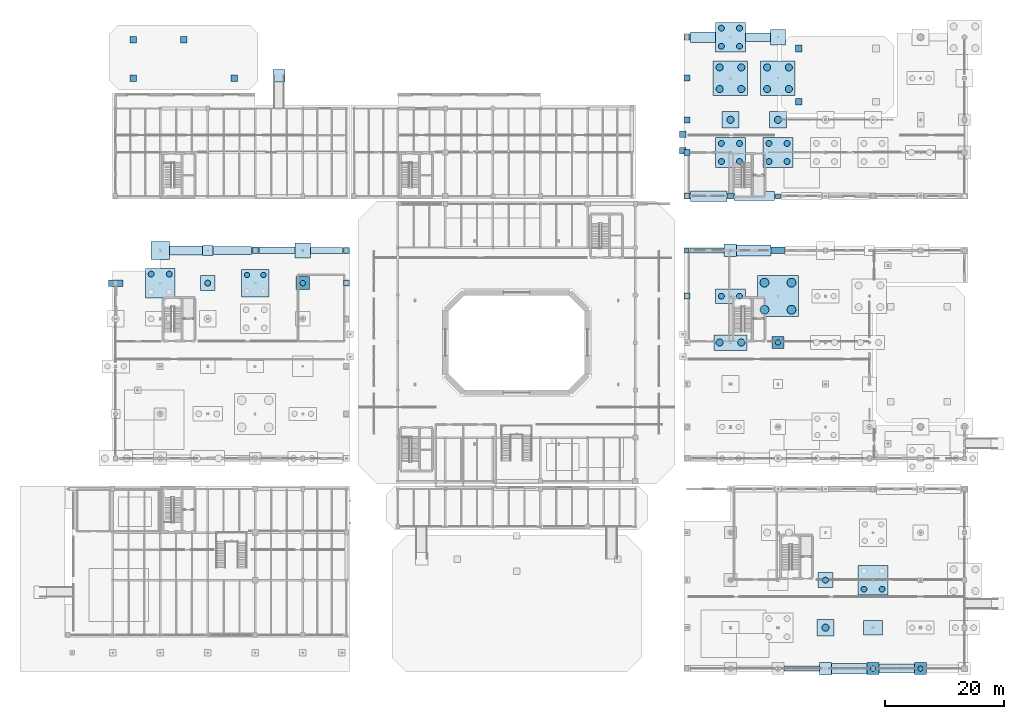
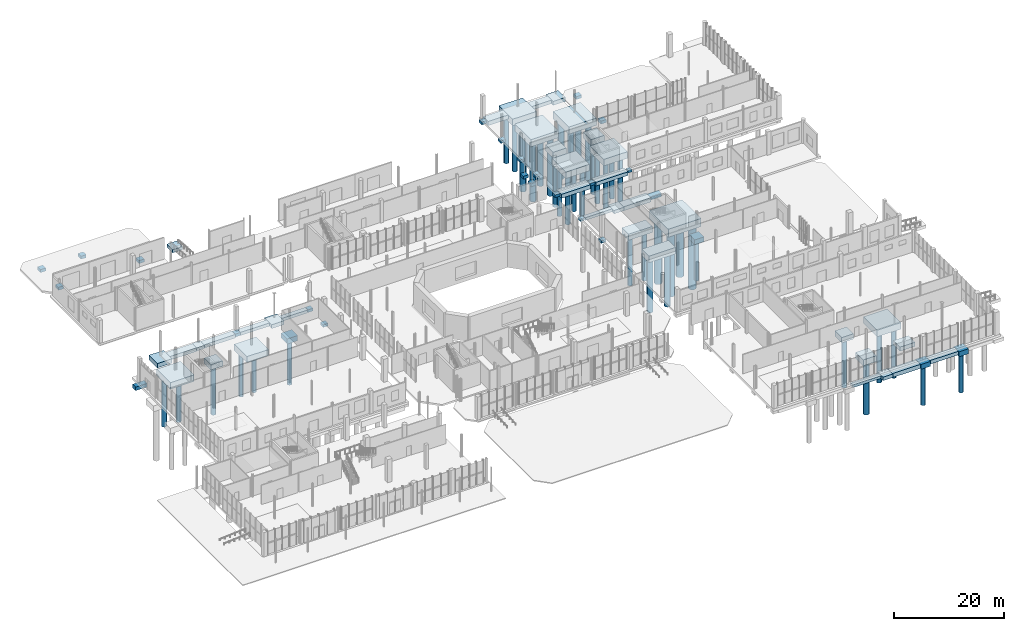
# One storey, part 2 of 87: 63 footings, 43 piles.
"""IFC4 building model written with IfcOpenShell, lengths in metres."""

from ifc_helpers import new_model, si_unit, direction, frame, origin, origin_2d, place, context, subcontext, project, spatial, rectangle, circle, extrude, material, material_profile, profile_set, type_object, element, save


model = new_model("IFC4")

# Units and contexts
model_context = context("Model", 3, precision=1e-05, world=origin(), true_north=direction((0.0, 1.0)))
body_context = subcontext(model_context, "Body", "Model", "MODEL_VIEW")
ifc_project = project(units=[si_unit("LENGTHUNIT", "METRE"), si_unit("AREAUNIT", "SQUARE_METRE"), si_unit("VOLUMEUNIT", "CUBIC_METRE"), si_unit("PLANEANGLEUNIT", "RADIAN"), si_unit("MASSUNIT", "GRAM", prefix="KILO")], contexts=[model_context])

# Site, building, storey
site_placement = place(None, origin())
site = spatial("IfcSite", under=ifc_project, at=site_placement, CompositionType="ELEMENT")
building_placement = place(site_placement, origin())
building = spatial("IfcBuilding", under=site, at=building_placement, Name="Brisemont Oceanarium", CompositionType="ELEMENT")
storey_placement = place(building_placement, origin())
storey = spatial("IfcBuildingStorey", under=building, at=storey_placement, Name="L00", CompositionType="ELEMENT", Elevation=0.0)

# Footings
ifc_material_1 = material(Name="Concrete C40/50", Category="concrete")
footing_type_1 = type_object("IfcFootingType", Name="FTG-PAD-1000", PredefinedType="PAD_FOOTING", material=ifc_material_1)
for number, where, z_axis, x_axis, name in (
    (1, (55.35009765625, 66.0, -1.06005859375), (0.0, 0.0, 1.0), (1.0, 0.0, 0.0), "PF-15 spread footing at (55.4,66.0)"),
    (2, (55.35009765625, 71.5, -1.06005859375), (0.0, 0.0, 1.0), (1.0, 0.0, 0.0), "PF-15 spread footing at (55.4,71.5)"),
    (3, (112.64990234375, 63.800048828125, -1.06005859375), (0.0, 0.0, 1.0), (1.0, 0.0, 0.0), "PF-15 spread footing at (112.7,63.8)"),
    (4, (112.64990234375, 80.64990234375, -1.10009765625), (0.0, 0.0, 1.0), (1.0, 0.0, 0.0), "PF-15 spread footing at (112.7,80.7)"),
    (5, (112.64990234375, 88.0, -1.10009765625), (0.0, 0.0, 1.0), (1.0, 0.0, 0.0), "PF-15 spread footing at (112.7,88.0)"),
    (6, (112.64990234375, 93.5, -1.10009765625), (0.0, 0.0, 1.0), (1.0, 0.0, 0.0), "PF-15 spread footing at (112.7,93.5)"),
    (7, (112.64990234375, 100.5, -1.10009765625), (0.0, 0.0, 1.0), (1.0, 0.0, 0.0), "PF-15 spread footing at (112.7,100.5)"),
    (8, (112.64990234375, 107.39990234375, -1.10009765625), (0.0, 0.0, 1.0), (1.0, 0.0, 0.0), "PF-15 spread footing at (112.7,107.4)"),
    (9, (120.0, 80.64990234375, -1.10009765625), (0.0, 0.0, 1.0), (1.0, 0.0, 0.0), "PF-15 spread footing at (120.0,80.7)"),
):
    element("IfcFooting", number, at=place(storey_placement, frame(where, z_axis=z_axis, x_axis=x_axis)), inside=storey, type_object=footing_type_1, Name=name, PredefinedType="PAD_FOOTING", context=body_context, shape_type="SweptSolid", body=[
        extrude(rectangle(XDim=1.0, YDim=1.0, at=origin_2d()), origin(), (0.0, 0.0, 1.0), 0.60009765625),
    ])
ifc_material_2 = material(Name="Concrete C40/50", Category="concrete")
footing_type_2 = type_object("IfcFootingType", Name="FTG-PAD-1100", PredefinedType="PAD_FOOTING", material=ifc_material_2)
for number, where, z_axis, x_axis, name in (
    (10, (40.0, 71.5, -1.10986328125), (0.0, 0.0, 1.0), (1.0, 0.0, 0.0), "PF-14 spread footing at (40.0,71.5)"),
    (11, (19.5, 100.5, -1.10986328125), (0.0, 0.0, 1.0), (1.0, 0.0, 0.0), "Apron support pad AP7W-1"),
    (12, (36.5, 100.5, -1.10986328125), (0.0, 0.0, 1.0), (1.0, 0.0, 0.0), "Apron support pad AP7W-2"),
    (13, (28.0, 107.0, -1.10986328125), (0.0, 0.0, 1.0), (1.0, 0.0, 0.0), "Apron support pad AP7W-3"),
    (14, (19.5, 107.0, -1.10986328125), (0.0, 0.0, 1.0), (1.0, 0.0, 0.0), "Apron support pad AP7W-4"),
    (15, (131.5, 96.5, -0.869873046875), (0.0, 0.0, 1.0), (1.0, 0.0, 0.0), "Apron support pad V6CL-1"),
    (16, (131.5, 105.5, -0.869873046875), (0.0, 0.0, 1.0), (1.0, 0.0, 0.0), "Apron support pad V6CL-3"),
    (17, (112.0, 88.320068359375, -3.050048828125), (0.0, 0.0, 1.0), (1.0, 0.0, 0.0), "PF-14 spread footing at (112.0,88.3)"),
    (18, (112.0, 91.080078125, -3.050048828125), (0.0, 0.0, 1.0), (1.0, 0.0, 0.0), "PF-14 spread footing at (112.0,91.1)"),
):
    element("IfcFooting", number, at=place(storey_placement, frame(where, z_axis=z_axis, x_axis=x_axis)), inside=storey, type_object=footing_type_2, Name=name, PredefinedType="PAD_FOOTING", context=body_context, shape_type="SweptSolid", body=[
        extrude(rectangle(XDim=1.10009765625, YDim=1.10009765625, at=origin_2d()), origin(), (0.0, 0.0, 1.0), 0.64990234375),
    ])
ifc_material_3 = material(Name="Concrete C40/50", Category="concrete")
footing_type_3 = type_object("IfcFootingType", Name="FTG-PAD-1700", PredefinedType="PAD_FOOTING", material=ifc_material_3)
footing_1_placement = place(storey_placement, frame((32.0, 71.5, -1.10986328125), z_axis=(0.0, 0.0, 1.0), x_axis=(1.0, 0.0, 0.0)))
element("IfcFooting", 19, at=footing_1_placement, inside=storey, type_object=footing_type_3, Name="PF-08 spread footing at (32.0,71.5)", PredefinedType="PAD_FOOTING", context=body_context, shape_type="SweptSolid", body=[
    extrude(rectangle(XDim=1.699951171875, YDim=1.699951171875, at=origin_2d()), origin(), (0.0, 0.0, 1.0), 0.64990234375),
])
ifc_material_4 = material(Name="Concrete C40/50", Category="concrete")
footing_type_4 = type_object("IfcFootingType", Name="FTG-PAD-2100", PredefinedType="PAD_FOOTING", material=ifc_material_4)
for number, where, z_axis, x_axis, name in (
    (20, (136.0, 1.10009765625, -1.25), (0.0, 0.0, 1.0), (1.0, 0.0, 0.0), "PF-06 spread footing at (136.0,1.1)"),
    (21, (120.0, 71.5, -1.2099609375), (0.0, 0.0, 1.0), (1.0, 0.0, 0.0), "PF-06 spread footing at (120.0,71.5)"),
):
    element("IfcFooting", number, at=place(storey_placement, frame(where, z_axis=z_axis, x_axis=x_axis)), inside=storey, type_object=footing_type_4, Name=name, PredefinedType="PAD_FOOTING", context=body_context, shape_type="SweptSolid", body=[
        extrude(rectangle(XDim=2.10009765625, YDim=2.10009765625, at=origin_2d()), origin(), (0.0, 0.0, 1.0), 0.75),
    ])
footing_2_placement = place(storey_placement, frame((44.0, 100.89990234375, -1.079833984375), z_axis=(0.0, 0.0, 1.0), x_axis=(1.0, 0.0, 0.0)))
element("IfcFooting", 22, at=footing_2_placement, inside=storey, type_object=footing_type_4, Name="Ramp abutment pad 6A", PredefinedType="PAD_FOOTING", context=body_context, shape_type="SweptSolid", body=[
    extrude(rectangle(XDim=2.10009765625, YDim=2.10009765625, at=origin_2d()), origin(), (0.0, 0.0, 1.0), 0.64990234375),
])
ifc_material_5 = material(Name="Concrete C40/50", Category="concrete")
footing_type_5 = type_object("IfcFootingType", Name="FTG-PAD-2400X1100", PredefinedType="PAD_FOOTING", material=ifc_material_5)
for number, where, z_axis, x_axis, name in (
    (23, (16.5, 66.0, -1.26025390625), (0.0, 0.0, 1.0), (1.0, 0.0, 0.0), "PF-12 spread footing at (16.5,66.0)"),
    (24, (128.0, 71.5, -1.26025390625), (0.0, 0.0, 1.0), (1.0, 0.0, 0.0), "PF-12 spread footing at (128.0,71.5)"),
):
    element("IfcFooting", number, at=place(storey_placement, frame(where, z_axis=z_axis, x_axis=x_axis)), inside=storey, type_object=footing_type_5, Name=name, PredefinedType="PAD_FOOTING", context=body_context, shape_type="SweptSolid", body=[
        extrude(rectangle(XDim=2.39990234375, YDim=1.10009765625, at=origin_2d()), origin(), (0.0, 0.0, 1.0), 0.800048828125),
    ])
ifc_material_6 = material(Name="Concrete C40/50", Category="concrete")
footing_type_6 = type_object("IfcFootingType", Name="FTG-PAD-2600", PredefinedType="PAD_FOOTING", material=ifc_material_6)
for number, where, z_axis, x_axis, name in (
    (25, (48.0, 71.5, -1.31005859375), (0.0, 0.0, 1.0), (1.0, 0.0, 0.0), "PF-04 spread footing at (48.0,71.5)"),
    (26, (128.0, 107.39990234375, -1.35009765625), (0.0, 0.0, 1.0), (1.0, 0.0, 0.0), "PF-04 spread footing at (128.0,107.4)"),
):
    element("IfcFooting", number, at=place(storey_placement, frame(where, z_axis=z_axis, x_axis=x_axis)), inside=storey, type_object=footing_type_6, Name=name, PredefinedType="PAD_FOOTING", context=body_context, shape_type="SweptSolid", body=[
        extrude(rectangle(XDim=2.60009765625, YDim=2.60009765625, at=origin_2d()), origin(), (0.0, 0.0, 1.0), 0.85009765625),
    ])
ifc_material_7 = material(Name="Concrete C40/50", Category="concrete")
footing_type_7 = type_object("IfcFootingType", Name="FTG-PAD-3100", PredefinedType="PAD_FOOTING", material=ifc_material_7)
footing_3_placement = place(storey_placement, frame((24.0, 71.5, -1.41015625), z_axis=(0.0, 0.0, 1.0), x_axis=(1.0, 0.0, 0.0)))
element("IfcFooting", 27, at=footing_3_placement, inside=storey, type_object=footing_type_7, Name="PF-02 spread footing at (24.0,71.5)", PredefinedType="PAD_FOOTING", context=body_context, shape_type="SweptSolid", body=[
    extrude(rectangle(XDim=3.10009765625, YDim=3.10009765625, at=origin_2d()), origin(), (0.0, 0.0, 1.0), 0.949951171875),
])
ifc_material_8 = material(Name="Concrete C40/50", Category="concrete")
footing_type_8 = type_object("IfcFootingType", Name="FTG-PAD-3200X2400", PredefinedType="PAD_FOOTING", material=ifc_material_8)
footing_4_placement = place(storey_placement, frame((144.0, 8.0, -1.39990234375), z_axis=(0.0, 0.0, 1.0), x_axis=(1.0, 0.0, 0.0)))
element("IfcFooting", 28, at=footing_4_placement, inside=storey, type_object=footing_type_8, Name="PF-10 spread footing at (144.0,8.0)", PredefinedType="PAD_FOOTING", context=body_context, shape_type="SweptSolid", body=[
    extrude(rectangle(XDim=3.199951171875, YDim=2.39990234375, at=origin_2d()), origin(), (0.0, 0.0, 1.0), 0.89990234375),
])
ifc_material_9 = material(Name="Concrete C40/50", Category="concrete")
footing_type_9 = type_object("IfcFootingType", Name="FTG-PAD-800", PredefinedType="PAD_FOOTING", material=ifc_material_9)
for number, where, z_axis, x_axis, name in (
    (29, (112.64990234375, 71.5, -1.01025390625), (0.0, 0.0, 1.0), (1.0, 0.0, 0.0), "PF-16 spread footing at (112.7,71.5)"),
    (30, (128.0, 80.64990234375, -1.0498046875), (0.0, 0.0, 1.0), (1.0, 0.0, 0.0), "PF-16 spread footing at (128.0,80.7)"),
):
    element("IfcFooting", number, at=place(storey_placement, frame(where, z_axis=z_axis, x_axis=x_axis)), inside=storey, type_object=footing_type_9, Name=name, PredefinedType="PAD_FOOTING", context=body_context, shape_type="SweptSolid", body=[
        extrude(rectangle(XDim=0.800048828125, YDim=0.800048828125, at=origin_2d()), origin(), (0.0, 0.0, 1.0), 0.550048828125),
    ])
ifc_material_10 = material(Name="Concrete C40/50", Category="concrete")
footing_type_10 = type_object("IfcFootingType", Name="FTG-PC-1P-2000", PredefinedType="PILE_CAP", material=ifc_material_10)
for number, where, z_axis, x_axis, name in (
    (31, (144.0, 1.10009765625, -1.60009765625), (0.0, 0.0, 1.0), (1.0, 0.0, 0.0), "PC-11 pile cap at (144.0,1.1)"),
    (32, (152.0, 1.10009765625, -1.60009765625), (0.0, 0.0, 1.0), (1.0, 0.0, 0.0), "PC-11 pile cap at (152.0,1.1)"),
    (33, (128.0, 56.0, -1.56005859375), (0.0, 0.0, 1.0), (1.0, 0.0, 0.0), "PC-11 pile cap at (128.0,56.0)"),
):
    element("IfcFooting", number, at=place(storey_placement, frame(where, z_axis=z_axis, x_axis=x_axis)), inside=storey, type_object=footing_type_10, Name=name, PredefinedType="PILE_CAP", context=body_context, shape_type="SweptSolid", body=[
        extrude(rectangle(XDim=2.0, YDim=2.0, at=origin_2d()), origin(), (0.0, 0.0, 1.0), 1.10009765625),
    ])
ifc_material_11 = material(Name="Concrete C40/50", Category="concrete")
footing_type_11 = type_object("IfcFootingType", Name="FTG-PC-1P-2200", PredefinedType="PILE_CAP", material=ifc_material_11)
footing_5_placement = place(storey_placement, frame((48.0, 66.0, -1.60986328125), z_axis=(0.0, 0.0, 1.0), x_axis=(1.0, 0.0, 0.0)))
element("IfcFooting", 34, at=footing_5_placement, inside=storey, type_object=footing_type_11, Name="PC-10 pile cap at (48.0,66.0)", PredefinedType="PILE_CAP", context=body_context, shape_type="SweptSolid", body=[
    extrude(rectangle(XDim=2.199951171875, YDim=2.199951171875, at=origin_2d()), origin(), (0.0, 0.0, 1.0), 1.14990234375),
])
ifc_material_12 = material(Name="Concrete C40/50", Category="concrete")
footing_type_12 = type_object("IfcFootingType", Name="FTG-PC-1P-2500", PredefinedType="PILE_CAP", material=ifc_material_12)
for number, where, z_axis, x_axis, name in (
    (35, (136.0, 16.0, -1.7001953125), (0.0, 0.0, 1.0), (1.0, 0.0, 0.0), "PC-09 pile cap at (136.0,16.0)"),
    (36, (32.0, 66.0, -1.66015625), (0.0, 0.0, 1.0), (1.0, 0.0, 0.0), "PC-09 pile cap at (32.0,66.0)"),
):
    element("IfcFooting", number, at=place(storey_placement, frame(where, z_axis=z_axis, x_axis=x_axis)), inside=storey, type_object=footing_type_12, Name=name, PredefinedType="PILE_CAP", context=body_context, shape_type="SweptSolid", body=[
        extrude(rectangle(XDim=2.5, YDim=2.5, at=origin_2d()), origin(), (0.0, 0.0, 1.0), 1.199951171875),
    ])
ifc_material_13 = material(Name="Concrete C40/50", Category="concrete")
footing_type_13 = type_object("IfcFootingType", Name="FTG-PC-1P-2800", PredefinedType="PILE_CAP", material=ifc_material_13)
for number, where, z_axis, x_axis, name in (
    (37, (136.0, 8.0, -1.7998046875), (0.0, 0.0, 1.0), (1.0, 0.0, 0.0), "PC-08 pile cap at (136.0,8.0)"),
    (38, (120.0, 93.5, -1.7998046875), (0.0, 0.0, 1.0), (1.0, 0.0, 0.0), "PC-08 pile cap at (120.0,93.5)"),
    (39, (128.0, 93.5, -1.7998046875), (0.0, 0.0, 1.0), (1.0, 0.0, 0.0), "PC-08 pile cap at (128.0,93.5)"),
):
    element("IfcFooting", number, at=place(storey_placement, frame(where, z_axis=z_axis, x_axis=x_axis)), inside=storey, type_object=footing_type_13, Name=name, PredefinedType="PILE_CAP", context=body_context, shape_type="SweptSolid", body=[
        extrude(rectangle(XDim=2.800048828125, YDim=2.800048828125, at=origin_2d()), origin(), (0.0, 0.0, 1.0), 1.300048828125),
    ])
ifc_material_14 = material(Name="Concrete C40/50", Category="concrete")
footing_type_14 = type_object("IfcFootingType", Name="FTG-PC-2P-5000", PredefinedType="PILE_CAP", material=ifc_material_14)
footing_6_placement = place(storey_placement, frame((120.0, 63.800048828125, -1.81005859375), z_axis=(0.0, 0.0, 1.0), x_axis=(1.0, 0.0, 0.0)))
element("IfcFooting", 40, at=footing_6_placement, inside=storey, type_object=footing_type_14, Name="PC-06 pile cap at (120.0,63.8)", PredefinedType="PILE_CAP", context=body_context, shape_type="SweptSolid", body=[
    extrude(rectangle(XDim=5.0, YDim=2.39990234375, at=origin_2d()), origin(), (0.0, 0.0, 1.0), 1.35009765625),
])
ifc_material_15 = material(Name="Concrete C40/50", Category="concrete")
footing_type_15 = type_object("IfcFootingType", Name="FTG-PC-2P-5600", PredefinedType="PILE_CAP", material=ifc_material_15)
footing_7_placement = place(storey_placement, frame((120.0, 56.0, -1.91015625), z_axis=(0.0, 0.0, 1.0), x_axis=(1.0, 0.0, 0.0)))
element("IfcFooting", 41, at=footing_7_placement, inside=storey, type_object=footing_type_15, Name="PC-05 pile cap at (120.0,56.0)", PredefinedType="PILE_CAP", context=body_context, shape_type="SweptSolid", body=[
    extrude(rectangle(XDim=5.60009765625, YDim=2.60009765625, at=origin_2d()), origin(), (0.0, 0.0, 1.0), 1.449951171875),
])
ifc_material_16 = material(Name="Concrete C40/50", Category="concrete")
footing_type_16 = type_object("IfcFootingType", Name="FTG-PC-4P-4600", PredefinedType="PILE_CAP", material=ifc_material_16)
footing_8_placement = place(storey_placement, frame((40.0, 66.0, -1.81005859375), z_axis=(0.0, 0.0, 1.0), x_axis=(1.0, 0.0, 0.0)))
element("IfcFooting", 42, at=footing_8_placement, inside=storey, type_object=footing_type_16, Name="PC-04 pile cap at (40.0,66.0)", PredefinedType="PILE_CAP", context=body_context, shape_type="SweptSolid", body=[
    extrude(rectangle(XDim=4.60009765625, YDim=4.60009765625, at=origin_2d()), origin(), (0.0, 0.0, 1.0), 1.35009765625),
])
ifc_material_17 = material(Name="Concrete C40/50", Category="concrete")
footing_type_17 = type_object("IfcFootingType", Name="FTG-PC-4P-5000", PredefinedType="PILE_CAP", material=ifc_material_17)
for number, where, z_axis, x_axis, name in (
    (43, (144.0, 16.0, -1.9501953125), (0.0, 0.0, 1.0), (1.0, 0.0, 0.0), "PC-03 pile cap at (144.0,16.0)"),
    (44, (24.0, 66.0, -1.91015625), (0.0, 0.0, 1.0), (1.0, 0.0, 0.0), "PC-03 pile cap at (24.0,66.0)"),
    (45, (120.0, 88.0, -1.9501953125), (0.0, 0.0, 1.0), (1.0, 0.0, 0.0), "PC-03 pile cap at (120.0,88.0)"),
    (46, (120.0, 107.39990234375, -1.9501953125), (0.0, 0.0, 1.0), (1.0, 0.0, 0.0), "PC-03 pile cap at (120.0,107.4)"),
    (47, (128.0, 88.0, -1.9501953125), (0.0, 0.0, 1.0), (1.0, 0.0, 0.0), "PC-03 pile cap at (128.0,88.0)"),
):
    element("IfcFooting", number, at=place(storey_placement, frame(where, z_axis=z_axis, x_axis=x_axis)), inside=storey, type_object=footing_type_17, Name=name, PredefinedType="PILE_CAP", context=body_context, shape_type="SweptSolid", body=[
        extrude(rectangle(XDim=5.0, YDim=5.0, at=origin_2d()), origin(), (0.0, 0.0, 1.0), 1.449951171875),
    ])
ifc_material_18 = material(Name="Concrete C40/50", Category="concrete")
footing_type_18 = type_object("IfcFootingType", Name="FTG-PC-4P-5800", PredefinedType="PILE_CAP", material=ifc_material_18)
for number, where, z_axis, x_axis, name in (
    (48, (120.0, 100.5, -2.10009765625), (0.0, 0.0, 1.0), (1.0, 0.0, 0.0), "PC-02 pile cap at (120.0,100.5)"),
    (49, (128.0, 100.5, -2.10009765625), (0.0, 0.0, 1.0), (1.0, 0.0, 0.0), "PC-02 pile cap at (128.0,100.5)"),
):
    element("IfcFooting", number, at=place(storey_placement, frame(where, z_axis=z_axis, x_axis=x_axis)), inside=storey, type_object=footing_type_18, Name=name, PredefinedType="PILE_CAP", context=body_context, shape_type="SweptSolid", body=[
        extrude(rectangle(XDim=5.800048828125, YDim=5.800048828125, at=origin_2d()), origin(), (0.0, 0.0, 1.0), 1.60009765625),
    ])
ifc_material_19 = material(Name="Concrete C40/50", Category="concrete")
footing_type_19 = type_object("IfcFootingType", Name="FTG-PC-4P-6900", PredefinedType="PILE_CAP", material=ifc_material_19)
footing_9_placement = place(storey_placement, frame((128.0, 63.800048828125, -2.26025390625), z_axis=(0.0, 0.0, 1.0), x_axis=(1.0, 0.0, 0.0)))
element("IfcFooting", 50, at=footing_9_placement, inside=storey, type_object=footing_type_19, Name="PC-01 pile cap at (128.0,63.8)", PredefinedType="PILE_CAP", context=body_context, shape_type="SweptSolid", body=[
    extrude(rectangle(XDim=6.89990234375, YDim=6.89990234375, at=origin_2d()), origin(), (0.0, 0.0, 1.0), 1.800048828125),
])
ifc_material_20 = material(Name="Concrete C40/50", Category="concrete")
footing_type_20 = type_object("IfcFootingType", Name="FTG-SF-1100X700", PredefinedType="STRIP_FOOTING", material=ifc_material_20)
footing_10_placement = place(storey_placement, frame((43.64990234375, 71.5, -1.16015625), z_axis=(0.0, 0.0, 1.0), x_axis=(1.0, 0.0, 0.0)))
element("IfcFooting", 51, at=footing_10_placement, inside=storey, type_object=footing_type_20, Name="SF-04 continuous strip footing", PredefinedType="STRIP_FOOTING", context=body_context, shape_type="SweptSolid", body=[
    extrude(rectangle(XDim=6.10009765625, YDim=1.10009765625, at=origin_2d()), origin(), (0.0, 0.0, 1.0), 0.699951171875),
])
ifc_material_21 = material(Name="Concrete C40/50", Category="concrete")
footing_type_21 = type_object("IfcFootingType", Name="FTG-SF-1300X750", PredefinedType="STRIP_FOOTING", material=ifc_material_21)
footing_11_placement = place(storey_placement, frame((36.125, 71.5, -1.2099609375), z_axis=(0.0, 0.0, 1.0), x_axis=(1.0, 0.0, 0.0)))
element("IfcFooting", 52, at=footing_11_placement, inside=storey, type_object=footing_type_21, Name="SF-03 continuous strip footing", PredefinedType="STRIP_FOOTING", context=body_context, shape_type="SweptSolid", body=[
    extrude(rectangle(XDim=6.550048828125, YDim=1.300048828125, at=origin_2d()), origin(), (0.0, 0.0, 1.0), 0.75),
])
ifc_material_22 = material(Name="Concrete C40/50", Category="concrete")
footing_type_22 = type_object("IfcFootingType", Name="FTG-SF-1500X800", PredefinedType="STRIP_FOOTING", material=ifc_material_22)
footing_12_placement = place(storey_placement, frame((148.0, 1.10009765625, -1.2998046875), z_axis=(0.0, 0.0, 1.0), x_axis=(1.0, 0.0, 0.0)))
element("IfcFooting", 53, at=footing_12_placement, inside=storey, type_object=footing_type_22, Name="SF-02 continuous strip footing", PredefinedType="STRIP_FOOTING", context=body_context, shape_type="SweptSolid", body=[
    extrude(rectangle(XDim=6.0, YDim=1.5, at=origin_2d()), origin(), (0.0, 0.0, 1.0), 0.800048828125),
])
footing_13_placement = place(storey_placement, frame((28.35009765625, 71.5, -1.26025390625), z_axis=(0.0, 0.0, 1.0), x_axis=(1.0, 0.0, 0.0)))
element("IfcFooting", 54, at=footing_13_placement, inside=storey, type_object=footing_type_22, Name="SF-02 continuous strip footing", PredefinedType="STRIP_FOOTING", context=body_context, shape_type="SweptSolid", body=[
    extrude(rectangle(XDim=5.60009765625, YDim=1.5, at=origin_2d()), origin(), (0.0, 0.0, 1.0), 0.800048828125),
])
footing_14_placement = place(storey_placement, frame((124.0, 80.64990234375, -1.2998046875), z_axis=(0.0, 0.0, 1.0), x_axis=(1.0, 0.0, 0.0)))
element("IfcFooting", 55, at=footing_14_placement, inside=storey, type_object=footing_type_22, Name="SF-02 continuous strip footing", PredefinedType="STRIP_FOOTING", context=body_context, shape_type="SweptSolid", body=[
    extrude(rectangle(XDim=6.800048828125, YDim=1.5, at=origin_2d()), origin(), (0.0, 0.0, 1.0), 0.800048828125),
])
footing_15_placement = place(storey_placement, frame((124.60009765625, 107.39990234375, -1.2998046875), z_axis=(0.0, 0.0, 1.0), x_axis=(1.0, 0.0, 0.0)))
element("IfcFooting", 56, at=footing_15_placement, inside=storey, type_object=footing_type_22, Name="SF-02 continuous strip footing", PredefinedType="STRIP_FOOTING", context=body_context, shape_type="SweptSolid", body=[
    extrude(rectangle(XDim=4.199951171875, YDim=1.5, at=origin_2d()), origin(), (0.0, 0.0, 1.0), 0.800048828125),
])
ifc_material_23 = material(Name="Concrete C40/50", Category="concrete")
footing_type_23 = type_object("IfcFootingType", Name="FTG-SF-1800X900", PredefinedType="STRIP_FOOTING", material=ifc_material_23)
footing_16_placement = place(storey_placement, frame((140.02490234375, 1.10009765625, -1.39990234375), z_axis=(0.0, 0.0, 1.0), x_axis=(1.0, 0.0, 0.0)))
element("IfcFooting", 57, at=footing_16_placement, inside=storey, type_object=footing_type_23, Name="SF-01 continuous strip footing", PredefinedType="STRIP_FOOTING", context=body_context, shape_type="SweptSolid", body=[
    extrude(rectangle(XDim=5.949951171875, YDim=1.800048828125, at=origin_2d()), origin(), (0.0, 0.0, 1.0), 0.89990234375),
])
footing_17_placement = place(storey_placement, frame((123.925048828125, 71.5, -1.35986328125), z_axis=(0.0, 0.0, 1.0), x_axis=(1.0, 0.0, 0.0)))
element("IfcFooting", 58, at=footing_17_placement, inside=storey, type_object=footing_type_23, Name="SF-01 continuous strip footing", PredefinedType="STRIP_FOOTING", context=body_context, shape_type="SweptSolid", body=[
    extrude(rectangle(XDim=5.75, YDim=1.800048828125, at=origin_2d()), origin(), (0.0, 0.0, 1.0), 0.89990234375),
])
footing_18_placement = place(storey_placement, frame((116.324951171875, 80.64990234375, -1.39990234375), z_axis=(0.0, 0.0, 1.0), x_axis=(1.0, 0.0, 0.0)))
element("IfcFooting", 59, at=footing_18_placement, inside=storey, type_object=footing_type_23, Name="SF-01 continuous strip footing", PredefinedType="STRIP_FOOTING", context=body_context, shape_type="SweptSolid", body=[
    extrude(rectangle(XDim=6.14990234375, YDim=1.800048828125, at=origin_2d()), origin(), (0.0, 0.0, 1.0), 0.89990234375),
])
footing_19_placement = place(storey_placement, frame((115.375, 107.39990234375, -1.39990234375), z_axis=(0.0, 0.0, 1.0), x_axis=(1.0, 0.0, 0.0)))
element("IfcFooting", 60, at=footing_19_placement, inside=storey, type_object=footing_type_23, Name="SF-01 continuous strip footing", PredefinedType="STRIP_FOOTING", context=body_context, shape_type="SweptSolid", body=[
    extrude(rectangle(XDim=4.25, YDim=1.800048828125, at=origin_2d()), origin(), (0.0, 0.0, 1.0), 0.89990234375),
])
ifc_material_24 = material(Name="Concrete C40/50", Category="concrete")
footing_type_24 = type_object("IfcFootingType", Name="FTG-SF-850X600", PredefinedType="STRIP_FOOTING", material=ifc_material_24)
footing_20_placement = place(storey_placement, frame((131.97509765625, 1.10009765625, -1.10009765625), z_axis=(0.0, 0.0, 1.0), x_axis=(1.0, 0.0, 0.0)))
element("IfcFooting", 61, at=footing_20_placement, inside=storey, type_object=footing_type_24, Name="SF-06 continuous strip footing", PredefinedType="STRIP_FOOTING", context=body_context, shape_type="SweptSolid", body=[
    extrude(rectangle(XDim=5.949951171875, YDim=0.85009765625, at=origin_2d()), origin(), (0.0, 0.0, 1.0), 0.60009765625),
])
footing_21_placement = place(storey_placement, frame((116.10009765625, 71.5, -1.06005859375), z_axis=(0.0, 0.0, 1.0), x_axis=(1.0, 0.0, 0.0)))
element("IfcFooting", 62, at=footing_21_placement, inside=storey, type_object=footing_type_24, Name="SF-06 continuous strip footing", PredefinedType="STRIP_FOOTING", context=body_context, shape_type="SweptSolid", body=[
    extrude(rectangle(XDim=5.699951171875, YDim=0.85009765625, at=origin_2d()), origin(), (0.0, 0.0, 1.0), 0.60009765625),
])
ifc_material_25 = material(Name="Concrete C40/50", Category="concrete")
footing_type_25 = type_object("IfcFootingType", Name="FTG-SF-950X650", PredefinedType="STRIP_FOOTING", material=ifc_material_25)
footing_22_placement = place(storey_placement, frame((52.02490234375, 71.5, -1.10986328125), z_axis=(0.0, 0.0, 1.0), x_axis=(1.0, 0.0, 0.0)))
element("IfcFooting", 63, at=footing_22_placement, inside=storey, type_object=footing_type_25, Name="SF-05 continuous strip footing", PredefinedType="STRIP_FOOTING", context=body_context, shape_type="SweptSolid", body=[
    extrude(rectangle(XDim=5.449951171875, YDim=0.949951171875, at=origin_2d()), origin(), (0.0, 0.0, 1.0), 0.64990234375),
])

# Piles
ifc_material_26 = material(Name="Concrete C40/50", Category="concrete")
ifc_material_profile_1 = material_profile(ifc_material_26, circle(Radius=0.5, at=origin_2d()), Name="CIDH-D1000")
ifc_profile_set_1 = profile_set([ifc_material_profile_1], Name="Concrete C40/50")
pile_type_1 = type_object("IfcPileType", Name="PIL-CIDH-1000-11", PredefinedType="BORED", material=ifc_profile_set_1)
for number, where, z_axis, x_axis, name in (
    (64, (136.0, 16.0, -1.60009765625), (0.0, 0.0, -1.0), (1.0, 0.0, 0.0), "P-04 rock-socketed shaft 1"),
    (65, (142.47509765625, 14.47509765625, -1.85009765625), (0.0, 0.0, -1.0), (1.0, 0.0, 0.0), "P-04 rock-socketed shaft 1"),
    (66, (145.52490234375, 14.47509765625, -1.85009765625), (0.0, 0.0, -1.0), (1.0, 0.0, 0.0), "P-04 rock-socketed shaft 2"),
    (67, (22.47509765625, 67.52490234375, -1.81005859375), (0.0, 0.0, -1.0), (1.0, 0.0, 0.0), "P-04 rock-socketed shaft 3"),
    (68, (25.52490234375, 67.52490234375, -1.81005859375), (0.0, 0.0, -1.0), (1.0, 0.0, 0.0), "P-04 rock-socketed shaft 4"),
    (69, (32.0, 66.0, -1.56005859375), (0.0, 0.0, -1.0), (1.0, 0.0, 0.0), "P-04 rock-socketed shaft 1"),
    (70, (118.47509765625, 63.800048828125, -1.7099609375), (0.0, 0.0, -1.0), (1.0, 0.0, 0.0), "P-04 rock-socketed shaft 1"),
    (71, (121.52490234375, 63.800048828125, -1.7099609375), (0.0, 0.0, -1.0), (1.0, 0.0, 0.0), "P-04 rock-socketed shaft 2"),
    (72, (118.47509765625, 86.47509765625, -1.85009765625), (0.0, 0.0, -1.0), (1.0, 0.0, 0.0), "P-04 rock-socketed shaft 1"),
    (73, (121.52490234375, 86.47509765625, -1.85009765625), (0.0, 0.0, -1.0), (1.0, 0.0, 0.0), "P-04 rock-socketed shaft 2"),
    (74, (118.47509765625, 89.52490234375, -1.85009765625), (0.0, 0.0, -1.0), (1.0, 0.0, 0.0), "P-04 rock-socketed shaft 3"),
    (75, (121.52490234375, 89.52490234375, -1.85009765625), (0.0, 0.0, -1.0), (1.0, 0.0, 0.0), "P-04 rock-socketed shaft 4"),
    (76, (118.47509765625, 105.875, -1.85009765625), (0.0, 0.0, -1.0), (1.0, 0.0, 0.0), "P-04 rock-socketed shaft 1"),
    (77, (121.52490234375, 105.875, -1.85009765625), (0.0, 0.0, -1.0), (1.0, 0.0, 0.0), "P-04 rock-socketed shaft 2"),
    (78, (118.47509765625, 108.925048828125, -1.85009765625), (0.0, 0.0, -1.0), (1.0, 0.0, 0.0), "P-04 rock-socketed shaft 3"),
    (79, (121.52490234375, 108.925048828125, -1.85009765625), (0.0, 0.0, -1.0), (1.0, 0.0, 0.0), "P-04 rock-socketed shaft 4"),
    (80, (126.47509765625, 86.47509765625, -1.85009765625), (0.0, 0.0, -1.0), (1.0, 0.0, 0.0), "P-04 rock-socketed shaft 1"),
    (81, (129.52490234375, 86.47509765625, -1.85009765625), (0.0, 0.0, -1.0), (1.0, 0.0, 0.0), "P-04 rock-socketed shaft 2"),
    (82, (126.47509765625, 89.52490234375, -1.85009765625), (0.0, 0.0, -1.0), (1.0, 0.0, 0.0), "P-04 rock-socketed shaft 3"),
    (83, (129.52490234375, 89.52490234375, -1.85009765625), (0.0, 0.0, -1.0), (1.0, 0.0, 0.0), "P-04 rock-socketed shaft 4"),
):
    element("IfcPile", number, at=place(storey_placement, frame(where, z_axis=z_axis, x_axis=x_axis)), inside=storey, type_object=pile_type_1, Name=name, PredefinedType="BORED", context=body_context, shape_type="SweptSolid", body=[
        extrude(circle(Radius=0.5, at=origin_2d()), origin(), (0.0, 0.0, 1.0), 11.0),
    ])
ifc_material_27 = material(Name="Concrete C40/50", Category="concrete")
ifc_material_profile_2 = material_profile(ifc_material_27, circle(Radius=0.60009765625, at=origin_2d()), Name="CIDH-D1200")
ifc_profile_set_2 = profile_set([ifc_material_profile_2], Name="Concrete C40/50")
pile_type_2 = type_object("IfcPileType", Name="PIL-CIDH-1200-12", PredefinedType="BORED", material=ifc_profile_set_2)
for number, where, z_axis, x_axis, name in (
    (84, (136.0, 8.0, -1.699951171875), (0.0, 0.0, -1.0), (1.0, 0.0, 0.0), "P-03 rock-socketed shaft 1"),
    (85, (118.175048828125, 56.0, -1.81005859375), (0.0, 0.0, -1.0), (1.0, 0.0, 0.0), "P-03 rock-socketed shaft 1"),
    (86, (121.824951171875, 56.0, -1.81005859375), (0.0, 0.0, -1.0), (1.0, 0.0, 0.0), "P-03 rock-socketed shaft 2"),
    (87, (120.0, 93.5, -1.699951171875), (0.0, 0.0, -1.0), (1.0, 0.0, 0.0), "P-03 rock-socketed shaft 1"),
    (88, (128.0, 93.5, -1.699951171875), (0.0, 0.0, -1.0), (1.0, 0.0, 0.0), "P-03 rock-socketed shaft 1"),
):
    element("IfcPile", number, at=place(storey_placement, frame(where, z_axis=z_axis, x_axis=x_axis)), inside=storey, type_object=pile_type_2, Name=name, PredefinedType="BORED", context=body_context, shape_type="SweptSolid", body=[
        extrude(circle(Radius=0.60009765625, at=origin_2d()), origin(), (0.0, 0.0, 1.0), 12.0),
    ])
ifc_material_28 = material(Name="Concrete C40/50", Category="concrete")
ifc_material_profile_3 = material_profile(ifc_material_28, circle(Radius=0.60009765625, at=origin_2d()), Name="CIDH-D1200")
ifc_profile_set_3 = profile_set([ifc_material_profile_3], Name="Concrete C40/50")
pile_type_3 = type_object("IfcPileType", Name="PIL-CIDH-1200-13", PredefinedType="BORED", material=ifc_profile_set_3)
for number, where, z_axis, x_axis, name in (
    (89, (118.175048828125, 98.675048828125, -2.0), (0.0, 0.0, -1.0), (1.0, 0.0, 0.0), "P-02 rock-socketed shaft 1"),
    (90, (121.824951171875, 98.675048828125, -2.0), (0.0, 0.0, -1.0), (1.0, 0.0, 0.0), "P-02 rock-socketed shaft 2"),
    (91, (118.175048828125, 102.324951171875, -2.0), (0.0, 0.0, -1.0), (1.0, 0.0, 0.0), "P-02 rock-socketed shaft 3"),
    (92, (121.824951171875, 102.324951171875, -2.0), (0.0, 0.0, -1.0), (1.0, 0.0, 0.0), "P-02 rock-socketed shaft 4"),
    (93, (126.175048828125, 98.675048828125, -2.0), (0.0, 0.0, -1.0), (1.0, 0.0, 0.0), "P-02 rock-socketed shaft 1"),
    (94, (129.824951171875, 98.675048828125, -2.0), (0.0, 0.0, -1.0), (1.0, 0.0, 0.0), "P-02 rock-socketed shaft 2"),
    (95, (126.175048828125, 102.324951171875, -2.0), (0.0, 0.0, -1.0), (1.0, 0.0, 0.0), "P-02 rock-socketed shaft 3"),
    (96, (129.824951171875, 102.324951171875, -2.0), (0.0, 0.0, -1.0), (1.0, 0.0, 0.0), "P-02 rock-socketed shaft 4"),
):
    element("IfcPile", number, at=place(storey_placement, frame(where, z_axis=z_axis, x_axis=x_axis)), inside=storey, type_object=pile_type_3, Name=name, PredefinedType="BORED", context=body_context, shape_type="SweptSolid", body=[
        extrude(circle(Radius=0.60009765625, at=origin_2d()), origin(), (0.0, 0.0, 1.0), 13.0),
    ])
ifc_material_29 = material(Name="Concrete C40/50", Category="concrete")
ifc_material_profile_4 = material_profile(ifc_material_29, circle(Radius=0.75, at=origin_2d()), Name="CIDH-D1500")
ifc_profile_set_4 = profile_set([ifc_material_profile_4], Name="Concrete C40/50")
pile_type_4 = type_object("IfcPileType", Name="PIL-CIDH-1500-14", PredefinedType="BORED", material=ifc_profile_set_4)
for number, where, z_axis, x_axis, name in (
    (97, (125.72509765625, 61.52490234375, -2.159912109375), (0.0, 0.0, -1.0), (1.0, 0.0, 0.0), "P-01 rock-socketed shaft 1"),
    (98, (130.27490234375, 61.52490234375, -2.159912109375), (0.0, 0.0, -1.0), (1.0, 0.0, 0.0), "P-01 rock-socketed shaft 2"),
    (99, (125.72509765625, 66.074951171875, -2.159912109375), (0.0, 0.0, -1.0), (1.0, 0.0, 0.0), "P-01 rock-socketed shaft 3"),
    (100, (130.27490234375, 66.074951171875, -2.159912109375), (0.0, 0.0, -1.0), (1.0, 0.0, 0.0), "P-01 rock-socketed shaft 4"),
):
    element("IfcPile", number, at=place(storey_placement, frame(where, z_axis=z_axis, x_axis=x_axis)), inside=storey, type_object=pile_type_4, Name=name, PredefinedType="BORED", context=body_context, shape_type="SweptSolid", body=[
        extrude(circle(Radius=0.75, at=origin_2d()), origin(), (0.0, 0.0, 1.0), 14.0),
    ])
ifc_material_30 = material(Name="Concrete C40/50", Category="concrete")
ifc_material_profile_5 = material_profile(ifc_material_30, circle(Radius=0.449951171875, at=origin_2d()), Name="CIDH-D900")
ifc_profile_set_5 = profile_set([ifc_material_profile_5], Name="Concrete C40/50")
pile_type_5 = type_object("IfcPileType", Name="PIL-CIDH-900-09", PredefinedType="BORED", material=ifc_profile_set_5)
for number, where, z_axis, x_axis, name in (
    (101, (144.0, 1.10009765625, -1.5), (0.0, 0.0, -1.0), (1.0, 0.0, 0.0), "P-07 rock-socketed shaft 1"),
    (102, (152.0, 1.10009765625, -1.5), (0.0, 0.0, -1.0), (1.0, 0.0, 0.0), "P-07 rock-socketed shaft 1"),
    (103, (128.0, 56.0, -1.4599609375), (0.0, 0.0, -1.0), (1.0, 0.0, 0.0), "P-07 rock-socketed shaft 1"),
):
    element("IfcPile", number, at=place(storey_placement, frame(where, z_axis=z_axis, x_axis=x_axis)), inside=storey, type_object=pile_type_5, Name=name, PredefinedType="BORED", context=body_context, shape_type="SweptSolid", body=[
        extrude(circle(Radius=0.449951171875, at=origin_2d()), origin(), (0.0, 0.0, 1.0), 8.800048828125),
    ])
ifc_material_31 = material(Name="Concrete C40/50", Category="concrete")
ifc_material_profile_6 = material_profile(ifc_material_31, circle(Radius=0.449951171875, at=origin_2d()), Name="CIDH-D900")
ifc_profile_set_6 = profile_set([ifc_material_profile_6], Name="Concrete C40/50")
pile_type_6 = type_object("IfcPileType", Name="PIL-CIDH-900-10", PredefinedType="BORED", material=ifc_profile_set_6)
for number, where, z_axis, x_axis, name in (
    (104, (38.625, 67.375, -1.7099609375), (0.0, 0.0, -1.0), (1.0, 0.0, 0.0), "P-06 rock-socketed shaft 3"),
    (105, (41.375, 67.375, -1.7099609375), (0.0, 0.0, -1.0), (1.0, 0.0, 0.0), "P-06 rock-socketed shaft 4"),
    (106, (48.0, 66.0, -1.510009765625), (0.0, 0.0, -1.0), (1.0, 0.0, 0.0), "P-06 rock-socketed shaft 1"),
):
    element("IfcPile", number, at=place(storey_placement, frame(where, z_axis=z_axis, x_axis=x_axis)), inside=storey, type_object=pile_type_6, Name=name, PredefinedType="BORED", context=body_context, shape_type="SweptSolid", body=[
        extrude(circle(Radius=0.449951171875, at=origin_2d()), origin(), (0.0, 0.0, 1.0), 10.0),
    ])

save(model, "model.ifc")
